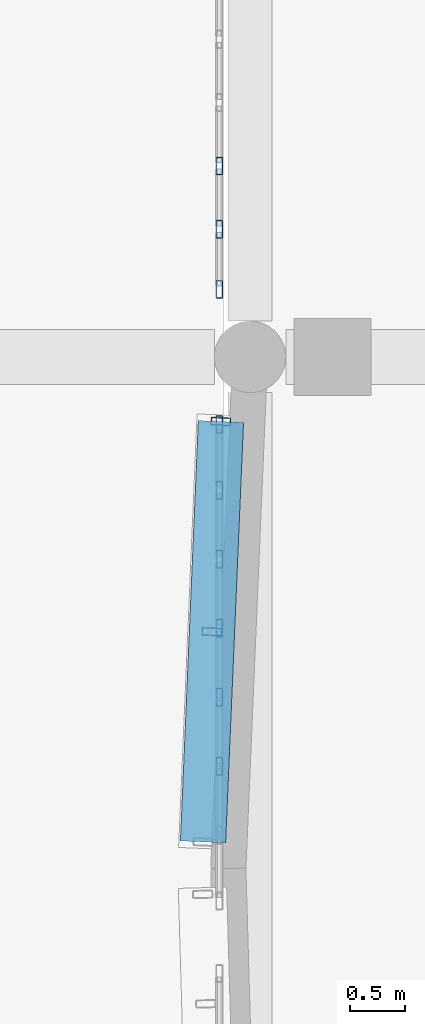
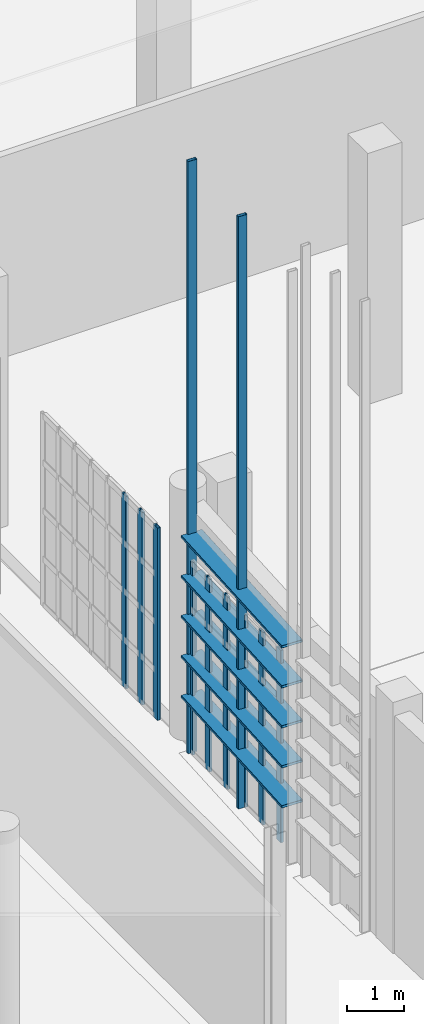
# One storey, part 238 of 372: 16 members, 2 elements without a shape of their own.
"""IFC4 building model written with IfcOpenShell, lengths in metres."""

from ifc_helpers import new_model, si_unit, direction, frame, origin, origin_2d, place, context, subcontext, project, spatial, hollow_rectangle, extrude, material, material_profile, profile_set, type_object, element, aggregate, save


model = new_model("IFC4")

# Units and contexts
model_context = context("Model", 3, precision=1e-05, world=origin(), true_north=direction((0.0, 1.0)))
body_context = subcontext(model_context, "Body", "Model", "MODEL_VIEW")
ifc_project = project(units=[si_unit("LENGTHUNIT", "METRE"), si_unit("AREAUNIT", "SQUARE_METRE"), si_unit("VOLUMEUNIT", "CUBIC_METRE"), si_unit("PLANEANGLEUNIT", "RADIAN"), si_unit("MASSUNIT", "GRAM", prefix="KILO")], contexts=[model_context])

# Site, building, storey
site_placement = place(None, origin())
site = spatial("IfcSite", under=ifc_project, at=site_placement, CompositionType="ELEMENT")
building_placement = place(site_placement, origin())
building = spatial("IfcBuilding", under=site, at=building_placement, Name="Kaelora Sail Theatre", CompositionType="ELEMENT")
storey_placement = place(building_placement, origin())
storey = spatial("IfcBuildingStorey", under=building, at=storey_placement, Name="L00", CompositionType="ELEMENT", Elevation=0.0)

# Members
ifc_material_1 = material(Name="Anodised aluminium 6063-T6", Category="aluminium")
ifc_material_profile_1 = material_profile(ifc_material_1, hollow_rectangle(XDim=0.419921875, YDim=0.054931640625, WallThickness=0.00390625, InnerFilletRadius=0.00390625, OuterFilletRadius=0.008056640625, at=origin_2d()), Name="LOUVRE 420x55x4")
ifc_profile_set_1 = profile_set([ifc_material_profile_1], Name="Anodised aluminium 6063-T6")
member_type_1 = type_object("IfcMemberType", Name="ARC-MEM-LVR-420", PredefinedType="USERDEFINED", material=ifc_profile_set_1)
for number, where, z_axis, x_axis, name in (
    (1, (122.572021484375, 49.16748046875, 1.25), (0.042537742373, 0.999094860598, 0.0), (-0.999094860598, 0.042537742373, 0.0), "Black-Box and Experimental Sail Wing horizontal solar louvre C20-01"),
    (2, (122.572021484375, 49.16748046875, 2.110107421875), (0.042537742373, 0.999094860598, 0.0), (-0.999094860598, 0.042537742373, 0.0), "Black-Box and Experimental Sail Wing horizontal solar louvre C20-02"),
    (3, (122.572021484375, 49.16748046875, 2.969970703125), (0.042537742373, 0.999094860598, 0.0), (-0.999094860598, 0.042537742373, 0.0), "Black-Box and Experimental Sail Wing horizontal solar louvre C20-03"),
    (4, (122.572021484375, 49.16748046875, 3.830078125), (0.042537742373, 0.999094860598, 0.0), (-0.999094860598, 0.042537742373, 0.0), "Black-Box and Experimental Sail Wing horizontal solar louvre C20-04"),
    (5, (122.572021484375, 49.16748046875, 4.68994140625), (0.042537742373, 0.999094860598, 0.0), (-0.999094860598, 0.042537742373, 0.0), "Black-Box and Experimental Sail Wing horizontal solar louvre C20-05"),
):
    element("IfcMember", number, at=place(storey_placement, frame(where, z_axis=z_axis, x_axis=x_axis)), inside=storey, type_object=member_type_1, Name=name, ObjectType="LOUVRE", PredefinedType="USERDEFINED", context=body_context, shape_type="SweptSolid", body=[
        extrude(hollow_rectangle(XDim=0.419921875, YDim=0.054931640625, WallThickness=0.00390625, InnerFilletRadius=0.00390625, OuterFilletRadius=0.008056640625, at=origin_2d()), origin(), (0.0, 0.0, 1.0), 3.828125),
    ])

# Curtain wall, members
ifc_material_2 = material(Name="Anodised aluminium and solar-control low-E IGU", Category="aluminium")
curtain_wall_type = type_object("IfcCurtainWallType", Name="ARC-CW-CW-FOY2", PredefinedType="NOTDEFINED", material=ifc_material_2)
curtain_wall_1_placement = place(storey_placement, origin())
curtain_wall_1 = element("IfcCurtainWall", 6, at=curtain_wall_1_placement, inside=storey, type_object=curtain_wall_type, Name="East Interstitial Foyer East Glazed Return L00-03", PredefinedType="NOTDEFINED")
ifc_material_3 = material(Name="Anodised aluminium 6063-T6", Category="aluminium")
ifc_material_profile_2 = material_profile(ifc_material_3, hollow_rectangle(XDim=0.06005859375, YDim=0.159912109375, WallThickness=0.00390625, InnerFilletRadius=0.00390625, OuterFilletRadius=0.008056640625, at=origin_2d()), Name="ALU-MULL 60x160x4")
ifc_profile_set_2 = profile_set([ifc_material_profile_2], Name="Anodised aluminium 6063-T6")
member_type_2 = type_object("IfcMemberType", Name="ARC-MEM-ML-160", PredefinedType="MULLION", material=ifc_profile_set_2)
member_1_placement = place(storey_placement, frame((122.719970703125, 49.855712890625, 0.0), z_axis=(0.0, 0.0, 1.0), x_axis=(-1.0, 0.0, 0.0)))
member_1 = element("IfcMember", 7, at=member_1_placement, type_object=member_type_2, Name="CW-FOY2 mullion 3", PredefinedType="MULLION", context=body_context, shape_type="SweptSolid", body=[
    extrude(hollow_rectangle(XDim=0.06005859375, YDim=0.159912109375, WallThickness=0.00390625, InnerFilletRadius=0.00390625, OuterFilletRadius=0.008056640625, at=origin_2d()), origin(), (0.0, 0.0, 1.0), 4.136962890625),
])
member_2_placement = place(storey_placement, frame((122.719970703125, 50.483642578125, 0.0), z_axis=(0.0, 0.0, 1.0), x_axis=(-1.0, 0.0, 0.0)))
member_2 = element("IfcMember", 8, at=member_2_placement, type_object=member_type_2, Name="CW-FOY2 mullion 4", PredefinedType="MULLION", context=body_context, shape_type="SweptSolid", body=[
    extrude(hollow_rectangle(XDim=0.06005859375, YDim=0.159912109375, WallThickness=0.00390625, InnerFilletRadius=0.00390625, OuterFilletRadius=0.008056640625, at=origin_2d()), origin(), (0.0, 0.0, 1.0), 4.136962890625),
])
member_3_placement = place(storey_placement, frame((122.719970703125, 51.111328125, 0.0), z_axis=(0.0, 0.0, 1.0), x_axis=(-1.0, 0.0, 0.0)))
member_3 = element("IfcMember", 9, at=member_3_placement, type_object=member_type_2, Name="CW-FOY2 mullion 5", PredefinedType="MULLION", context=body_context, shape_type="SweptSolid", body=[
    extrude(hollow_rectangle(XDim=0.06005859375, YDim=0.159912109375, WallThickness=0.00390625, InnerFilletRadius=0.00390625, OuterFilletRadius=0.008056640625, at=origin_2d()), origin(), (0.0, 0.0, 1.0), 4.136962890625),
])
member_4_placement = place(storey_placement, frame((122.719970703125, 51.7392578125, 0.0), z_axis=(0.0, 0.0, 1.0), x_axis=(-1.0, 0.0, 0.0)))
member_4 = element("IfcMember", 10, at=member_4_placement, type_object=member_type_2, Name="CW-FOY2 mullion 6", PredefinedType="MULLION", context=body_context, shape_type="SweptSolid", body=[
    extrude(hollow_rectangle(XDim=0.06005859375, YDim=0.159912109375, WallThickness=0.00390625, InnerFilletRadius=0.00390625, OuterFilletRadius=0.008056640625, at=origin_2d()), origin(), (0.0, 0.0, 1.0), 4.136962890625),
])
member_5_placement = place(storey_placement, frame((122.719970703125, 52.3671875, 0.0), z_axis=(0.0, 0.0, 1.0), x_axis=(-1.0, 0.0, 0.0)))
member_5 = element("IfcMember", 11, at=member_5_placement, type_object=member_type_2, Name="CW-FOY2 mullion 7", PredefinedType="MULLION", context=body_context, shape_type="SweptSolid", body=[
    extrude(hollow_rectangle(XDim=0.06005859375, YDim=0.159912109375, WallThickness=0.00390625, InnerFilletRadius=0.00390625, OuterFilletRadius=0.008056640625, at=origin_2d()), origin(), (0.0, 0.0, 1.0), 4.136962890625),
])
member_6_placement = place(storey_placement, frame((122.719970703125, 52.965087890625, 0.0), z_axis=(0.0, 0.0, 1.0), x_axis=(-1.0, 0.0, 0.0)))
member_6 = element("IfcMember", 12, at=member_6_placement, type_object=member_type_2, Name="CW-FOY2 mullion 8", PredefinedType="MULLION", context=body_context, shape_type="SweptSolid", body=[
    extrude(hollow_rectangle(XDim=0.06005859375, YDim=0.159912109375, WallThickness=0.00390625, InnerFilletRadius=0.00390625, OuterFilletRadius=0.008056640625, at=origin_2d()), origin(), (0.0, 0.0, 1.0), 4.136962890625),
])
aggregate(curtain_wall_1, [member_1, member_2, member_3, member_4, member_5, member_6])

curtain_wall_2_placement = place(storey_placement, origin())
curtain_wall_2 = element("IfcCurtainWall", 13, at=curtain_wall_2_placement, inside=storey, type_object=curtain_wall_type, Name="East Interstitial Foyer East Glazed Return L00-04", PredefinedType="NOTDEFINED")
member_7_placement = place(storey_placement, frame((122.719970703125, 54.195068359375, 0.0), z_axis=(0.0, 0.0, 1.0), x_axis=(-1.0, 0.0, 0.0)))
member_7 = element("IfcMember", 14, at=member_7_placement, type_object=member_type_2, Name="CW-FOY2 mullion 1", PredefinedType="MULLION", context=body_context, shape_type="SweptSolid", body=[
    extrude(hollow_rectangle(XDim=0.06005859375, YDim=0.159912109375, WallThickness=0.00390625, InnerFilletRadius=0.00390625, OuterFilletRadius=0.008056640625, at=origin_2d()), origin(), (0.0, 0.0, 1.0), 4.136962890625),
])
member_8_placement = place(storey_placement, frame((122.719970703125, 54.741455078125, 0.0), z_axis=(0.0, 0.0, 1.0), x_axis=(-1.0, 0.0, 0.0)))
member_8 = element("IfcMember", 15, at=member_8_placement, type_object=member_type_2, Name="CW-FOY2 mullion 2", PredefinedType="MULLION", context=body_context, shape_type="SweptSolid", body=[
    extrude(hollow_rectangle(XDim=0.06005859375, YDim=0.159912109375, WallThickness=0.00390625, InnerFilletRadius=0.00390625, OuterFilletRadius=0.008056640625, at=origin_2d()), origin(), (0.0, 0.0, 1.0), 4.136962890625),
])
member_9_placement = place(storey_placement, frame((122.719970703125, 55.31787109375, 0.0), z_axis=(0.0, 0.0, 1.0), x_axis=(-1.0, 0.0, 0.0)))
member_9 = element("IfcMember", 16, at=member_9_placement, type_object=member_type_2, Name="CW-FOY2 mullion 3", PredefinedType="MULLION", context=body_context, shape_type="SweptSolid", body=[
    extrude(hollow_rectangle(XDim=0.06005859375, YDim=0.159912109375, WallThickness=0.00390625, InnerFilletRadius=0.00390625, OuterFilletRadius=0.008056640625, at=origin_2d()), origin(), (0.0, 0.0, 1.0), 4.136962890625),
])
aggregate(curtain_wall_2, [member_7, member_8, member_9])

# Members
ifc_material_4 = material(Name="Anodised aluminium 6063-T6", Category="aluminium")
ifc_material_profile_3 = material_profile(ifc_material_4, hollow_rectangle(XDim=0.070068359375, YDim=0.179931640625, WallThickness=0.00390625, InnerFilletRadius=0.00390625, OuterFilletRadius=0.008056640625, at=origin_2d()), Name="ALU-MULL 70x180x4")
ifc_profile_set_3 = profile_set([ifc_material_profile_3], Name="Anodised aluminium 6063-T6")
member_type_3 = type_object("IfcMemberType", Name="ARC-MEM-PST-160", PredefinedType="POST", material=ifc_profile_set_3)
for number, where, z_axis, x_axis, name in (
    (17, (122.6533203125, 51.079833984375, 0.0), (0.0, 0.0, 1.0), (0.042573162788, 0.9990933519, 0.0), "Black-Box and Experimental Sail Wing solar louvre vertical support post C20-2"),
    (18, (122.73486328125, 52.9921875, 0.0), (0.0, 0.0, 1.0), (0.042573162788, 0.9990933519, 0.0), "Black-Box and Experimental Sail Wing solar louvre vertical support post C20-3"),
):
    element("IfcMember", number, at=place(storey_placement, frame(where, z_axis=z_axis, x_axis=x_axis)), inside=storey, type_object=member_type_3, Name=name, PredefinedType="POST", context=body_context, shape_type="SweptSolid", body=[
        extrude(hollow_rectangle(XDim=0.070068359375, YDim=0.179931640625, WallThickness=0.00390625, InnerFilletRadius=0.00390625, OuterFilletRadius=0.008056640625, at=origin_2d()), origin(), (0.0, 0.0, 1.0), 12.737060546875),
    ])

save(model, "model.ifc")
